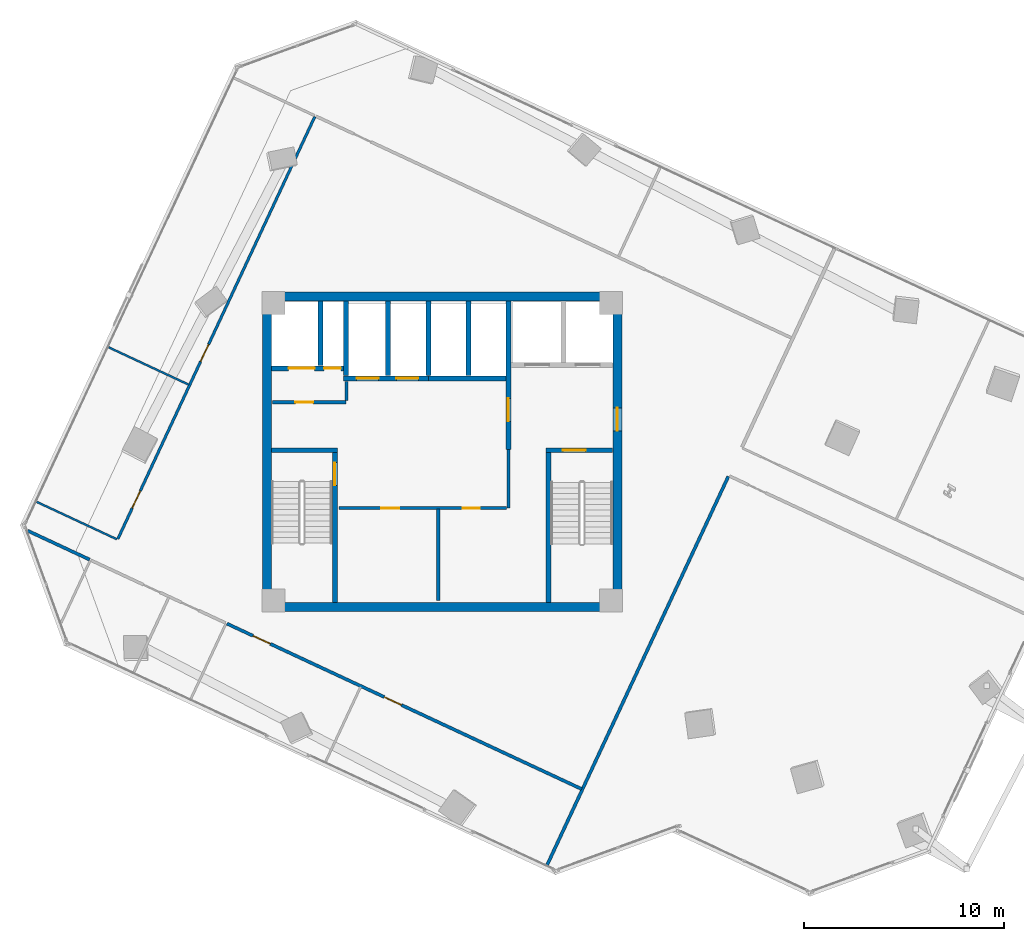
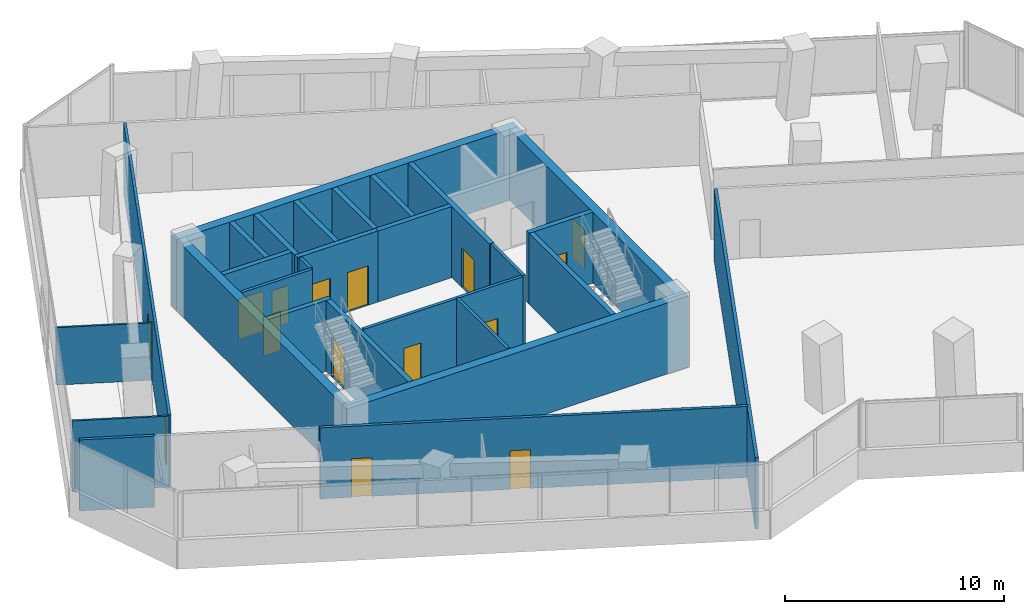
# One storey, part 16 of 21: 28 walls, 15 doors, 15 openings.
"""IFC4 building model written with IfcOpenShell, lengths in metres."""

from ifc_helpers import new_model, si_unit, direction, frame, frame_2d, origin, place, context, subcontext, project, spatial, rectangle, extrude, source, transform, mapped, material, layer, layer_set, type_object, element, fill, save


model = new_model("IFC4")

# Units and contexts
model_context = context("Model", 3, precision=1e-05, world=origin(), true_north=direction((0.0, 1.0)))
body_context = subcontext(model_context, "Body", "Model", "MODEL_VIEW")
ifc_project = project(units=[si_unit("LENGTHUNIT", "METRE"), si_unit("AREAUNIT", "SQUARE_METRE"), si_unit("VOLUMEUNIT", "CUBIC_METRE"), si_unit("PLANEANGLEUNIT", "RADIAN"), si_unit("MASSUNIT", "GRAM", prefix="KILO")], contexts=[model_context])

# Site, building, storey
site_placement = place(None, origin())
site = spatial("IfcSite", under=ifc_project, at=site_placement, CompositionType="ELEMENT")
building_placement = place(site_placement, origin())
building = spatial("IfcBuilding", under=site, at=building_placement, Name="Torre Montelarca", CompositionType="ELEMENT")
storey_placement = place(building_placement, frame((0.0, 0.0, 162.39990234375)))
storey = spatial("IfcBuildingStorey", under=building, at=storey_placement, Name="L36", CompositionType="ELEMENT", Elevation=162.39990234375)

# Wall, opening, door
ifc_material_1 = material(Name="Concrete C40/50", Category="concrete")
ifc_layer_1 = layer(ifc_material_1, 0.25, Name="Concrete C40/50", Category="concrete")
ifc_layer_set_1 = layer_set([ifc_layer_1], Name="Concrete C40/50")
wall_type_1 = type_object("IfcWallType", Name="CW-SHAFT-250", PredefinedType="SHEAR", material=ifc_layer_set_1)
wall_1_placement = place(storey_placement, frame((12.625, 24.4599609375, 0.0), z_axis=(0.0, 0.0, 1.0), x_axis=(0.0, 1.0, 0.0)))
wall_1 = element("IfcWall", 1, at=wall_1_placement, inside=storey, type_object=wall_type_1, Name="L36 Core Shear Wall SH-ST1-E", PredefinedType="SHEAR", context=body_context, shape_type="SweptSolid", body=[
    extrude(rectangle(XDim=7.489990234375, YDim=0.25, at=frame_2d((3.7451171875, 0.0))), origin(), (0.0, 0.0, 1.0), 3.960205078125),
])
opening_1_placement = place(wall_1_placement, frame((5.85009765625, 0.0, 0.0)))
opening_1 = element("IfcOpeningElement", 2, at=opening_1_placement, cuts=wall_1, Name="Opening FD-ST1", PredefinedType="OPENING", context=body_context, shape_type="SweptSolid", body=[
    extrude(rectangle(XDim=1.14990234375, YDim=2.199951171875, at=frame_2d((0.574951171875, 1.10009765625))), frame((0.0, 0.135009765625, 0.0), z_axis=(0.0, -1.0, 0.0), x_axis=(1.0, 0.0, 0.0)), (0.0, 0.0, 1.0), 0.27001953125),
])
ifc_material_2 = material(Name="Galvanized steel fire door", Category="steel")
door_type_1 = type_object("IfcDoorType", Name="DR-STAIR-115", OperationType="NOTDEFINED", PredefinedType="DOOR", material=ifc_material_2)
shared_shape_1 = source(origin(), body_context, "Body", "SweptSolid", [
    extrude(rectangle(XDim=1.14990234375, YDim=2.199951171875, at=frame_2d((0.574951171875, 1.10009765625))), frame((0.0, 0.02490234375, 0.0), z_axis=(0.0, -1.0, 0.0), x_axis=(1.0, 0.0, 0.0)), (0.0, 0.0, 1.0), 0.050048828125),
])
door_1_placement = place(opening_1_placement, origin())
door_1 = element("IfcDoor", 3, at=door_1_placement, inside=storey, type_object=door_type_1, Name="L36 Exit Stair ST1 Fire Door", OperationType="SINGLE_SWING_RIGHT", OverallHeight=2.199951171875, OverallWidth=1.14990234375, PredefinedType="DOOR", context=body_context, shape_type="MappedRepresentation", body=[
    mapped(shared_shape_1, transform((0.0, 0.0, 0.0), scale=1.0)),
])
fill(opening_1, door_1)

# Walls
wall_2_placement = place(storey_placement, frame((9.4599609375, 32.074951171875, 0.0), z_axis=(0.0, 0.0, 1.0), x_axis=(1.0, 0.0, 0.0)))
element("IfcWall", 4, at=wall_2_placement, inside=storey, type_object=wall_type_1, Name="L36 Core Shear Wall SH-ST1-N", PredefinedType="SHEAR", context=body_context, shape_type="SweptSolid", body=[
    extrude(rectangle(XDim=3.2900390625, YDim=0.25, at=frame_2d((1.64501953125, 0.0))), origin(), (0.0, 0.0, 1.0), 3.960205078125),
])
wall_3_placement = place(storey_placement, frame((23.31494140625, 24.4599609375, 0.0), z_axis=(0.0, 0.0, 1.0), x_axis=(0.0, 1.0, 0.0)))
element("IfcWall", 5, at=wall_3_placement, inside=storey, type_object=wall_type_1, Name="L36 Core Shear Wall SH-ST2-W", PredefinedType="SHEAR", context=body_context, shape_type="SweptSolid", body=[
    extrude(rectangle(XDim=7.489990234375, YDim=0.25, at=frame_2d((3.7451171875, 0.0))), origin(), (0.0, 0.0, 1.0), 3.960205078125),
])

# Wall, opening, door
wall_4_placement = place(storey_placement, frame((23.18994140625, 32.074951171875, 0.0), z_axis=(0.0, 0.0, 1.0), x_axis=(1.0, 0.0, 0.0)))
wall_4 = element("IfcWall", 6, at=wall_4_placement, inside=storey, type_object=wall_type_1, Name="L36 Core Shear Wall SH-ST2-N", PredefinedType="SHEAR", context=body_context, shape_type="SweptSolid", body=[
    extrude(rectangle(XDim=3.35009765625, YDim=0.25, at=frame_2d((1.675048828125, 0.0))), origin(), (0.0, 0.0, 1.0), 3.960205078125),
])
opening_2_placement = place(wall_4_placement, frame((0.85009765625, 0.0, 0.0)))
opening_2 = element("IfcOpeningElement", 7, at=opening_2_placement, cuts=wall_4, Name="Opening FD-ST1", PredefinedType="OPENING", context=body_context, shape_type="SweptSolid", body=[
    extrude(rectangle(XDim=1.14990234375, YDim=2.199951171875, at=frame_2d((0.574951171875, 1.10009765625))), frame((0.0, 0.135009765625, 0.0), z_axis=(0.0, -1.0, 0.0), x_axis=(1.0, 0.0, 0.0)), (0.0, 0.0, 1.0), 0.27001953125),
])
door_2_placement = place(opening_2_placement, origin())
door_2 = element("IfcDoor", 8, at=door_2_placement, inside=storey, type_object=door_type_1, Name="L36 Exit Stair ST2 Fire Door", OperationType="SINGLE_SWING_RIGHT", OverallHeight=2.199951171875, OverallWidth=1.14990234375, PredefinedType="DOOR", context=body_context, shape_type="MappedRepresentation", body=[
    mapped(shared_shape_1, transform((0.0, 0.0, 0.0), scale=1.0)),
])
fill(opening_2, door_2)

wall_5_placement = place(storey_placement, frame((21.320068359375, 32.1201171875, 0.0), z_axis=(0.0, 0.0, 1.0), x_axis=(0.0, 1.0, 0.0)))
wall_5 = element("IfcWall", 9, at=wall_5_placement, inside=storey, type_object=wall_type_1, Name="L36 Core Shear Wall SH-FFL-W", PredefinedType="SHEAR", context=body_context, shape_type="SweptSolid", body=[
    extrude(rectangle(XDim=7.419921875, YDim=0.25, at=frame_2d((3.7099609375, 0.0))), origin(), (0.0, 0.0, 1.0), 3.960205078125),
])
opening_3_placement = place(wall_5_placement, frame((1.39990234375, 0.0, 0.0)))
opening_3 = element("IfcOpeningElement", 10, at=opening_3_placement, cuts=wall_5, Name="Opening FD-LB1", PredefinedType="OPENING", context=body_context, shape_type="SweptSolid", body=[
    extrude(rectangle(XDim=1.14990234375, YDim=2.199951171875, at=frame_2d((0.574951171875, 1.10009765625))), frame((0.0, 0.135009765625, 0.0), z_axis=(0.0, -1.0, 0.0), x_axis=(1.0, 0.0, 0.0)), (0.0, 0.0, 1.0), 0.27001953125),
])
ifc_material_3 = material(Name="Acoustic timber-veneered fire door", Category="wood")
door_type_2 = type_object("IfcDoorType", Name="DR-LOBBY-115", OperationType="NOTDEFINED", PredefinedType="DOOR", material=ifc_material_3)
shared_shape_2 = source(origin(), body_context, "Body", "SweptSolid", [
    extrude(rectangle(XDim=1.14990234375, YDim=2.199951171875, at=frame_2d((0.574951171875, 1.10009765625))), frame((0.0, 0.02490234375, 0.0), z_axis=(0.0, -1.0, 0.0), x_axis=(1.0, 0.0, 0.0)), (0.0, 0.0, 1.0), 0.050048828125),
])
door_3_placement = place(opening_3_placement, origin())
door_3 = element("IfcDoor", 11, at=door_3_placement, inside=storey, type_object=door_type_2, Name="L36 Lift Lobby to Firefighting Lobby Smoke Door", OperationType="SINGLE_SWING_LEFT", OverallHeight=2.199951171875, OverallWidth=1.14990234375, PredefinedType="DOOR", context=body_context, shape_type="MappedRepresentation", body=[
    mapped(shared_shape_2, transform((0.0, 0.0, 0.0), scale=1.0)),
])
fill(opening_3, door_3)

# Wall, openings, doors
wall_6_placement = place(storey_placement, frame((9.4599609375, 36.179931640625, 0.0), z_axis=(0.0, 0.0, 1.0), x_axis=(1.0, 0.0, 0.0)))
wall_6 = element("IfcWall", 12, at=wall_6_placement, inside=storey, type_object=wall_type_1, Name="L36 Core Shear Wall SH-SV1-S", PredefinedType="SHEAR", context=body_context, shape_type="SweptSolid", body=[
    extrude(rectangle(XDim=3.7900390625, YDim=0.25, at=frame_2d((1.89501953125, 0.0))), origin(), (0.0, 0.0, 1.0), 3.960205078125),
])
opening_4_placement = place(wall_6_placement, frame((2.6201171875, 0.0, 0.0)))
opening_4 = element("IfcOpeningElement", 13, at=opening_4_placement, cuts=wall_6, Name="Opening FD-085", PredefinedType="OPENING", context=body_context, shape_type="SweptSolid", body=[
    extrude(rectangle(XDim=0.85009765625, YDim=2.10009765625, at=frame_2d((0.425048828125, 1.050048828125))), frame((0.0, 0.135009765625, 0.0), z_axis=(0.0, -1.0, 0.0), x_axis=(1.0, 0.0, 0.0)), (0.0, 0.0, 1.0), 0.27001953125),
])
opening_5_placement = place(wall_6_placement, frame((0.85009765625, 0.0, 0.0)))
opening_5 = element("IfcOpeningElement", 14, at=opening_5_placement, cuts=wall_6, Name="Opening LD-130", PredefinedType="OPENING", context=body_context, shape_type="SweptSolid", body=[
    extrude(rectangle(XDim=1.300048828125, YDim=2.25, at=frame_2d((0.64990234375, 1.125))), frame((0.0, 0.135009765625, 0.0), z_axis=(0.0, -1.0, 0.0), x_axis=(1.0, 0.0, 0.0)), (0.0, 0.0, 1.0), 0.27001953125),
])
ifc_material_4 = material(Name="Steel riser access fire door", Category="steel")
door_type_3 = type_object("IfcDoorType", Name="DR-RISER-085", OperationType="NOTDEFINED", PredefinedType="DOOR", material=ifc_material_4)
shared_shape_3 = source(origin(), body_context, "Body", "SweptSolid", [
    extrude(rectangle(XDim=0.85009765625, YDim=2.10009765625, at=frame_2d((0.425048828125, 1.050048828125))), frame((0.0, 0.02490234375, 0.0), z_axis=(0.0, -1.0, 0.0), x_axis=(1.0, 0.0, 0.0)), (0.0, 0.0, 1.0), 0.050048828125),
])
door_4_placement = place(opening_4_placement, origin())
door_4 = element("IfcDoor", 15, at=door_4_placement, inside=storey, type_object=door_type_3, Name="L36 Electrical Riser Shaft Access Door", OperationType="SINGLE_SWING_RIGHT", OverallHeight=2.10009765625, OverallWidth=0.85009765625, PredefinedType="DOOR", context=body_context, shape_type="MappedRepresentation", body=[
    mapped(shared_shape_3, transform((0.0, 0.0, 0.0), scale=1.0)),
])
fill(opening_4, door_4)
ifc_material_5 = material(Name="Brushed stainless steel AISI 316", Category="steel")
door_type_4 = type_object("IfcDoorType", Name="DR-LIFT-130", OperationType="SLIDING_TO_LEFT", PredefinedType="DOOR", material=ifc_material_5)
shared_shape_4 = source(origin(), body_context, "Body", "SweptSolid", [
    extrude(rectangle(XDim=1.300048828125, YDim=2.25, at=frame_2d((0.64990234375, 1.125))), frame((0.0, 0.02490234375, 0.0), z_axis=(0.0, -1.0, 0.0), x_axis=(1.0, 0.0, 0.0)), (0.0, 0.0, 1.0), 0.050048828125),
])
door_5_placement = place(opening_5_placement, origin())
door_5 = element("IfcDoor", 16, at=door_5_placement, inside=storey, type_object=door_type_4, Name="L36 Lift Landing Sliding Door SV-1", OperationType="SLIDING_TO_LEFT", OverallHeight=2.25, OverallWidth=1.300048828125, PredefinedType="DOOR", context=body_context, shape_type="MappedRepresentation", body=[
    mapped(shared_shape_4, transform((0.0, 0.0, 0.0), scale=1.0)),
])
fill(opening_5, door_5)

# Wall
wall_7_placement = place(storey_placement, frame((11.89990234375, 36.31005859375, 0.0), z_axis=(0.0, 0.0, 1.0), x_axis=(0.0, 1.0, 0.0)))
element("IfcWall", 17, at=wall_7_placement, inside=storey, type_object=wall_type_1, Name="L36 Core Shear Wall SH-SV1-E", PredefinedType="SHEAR", context=body_context, shape_type="SweptSolid", body=[
    extrude(rectangle(XDim=3.22998046875, YDim=0.25, at=frame_2d((1.614990234375, 0.0))), origin(), (0.0, 0.0, 1.0), 3.960205078125),
])

# Wall, openings, doors
wall_8_placement = place(storey_placement, frame((13.06005859375, 35.679931640625, 0.0), z_axis=(0.0, 0.0, 1.0), x_axis=(1.0, 0.0, 0.0)))
wall_8 = element("IfcWall", 18, at=wall_8_placement, inside=storey, type_object=wall_type_1, Name="L36 Core Shear Wall SH-PLM-S", PredefinedType="SHEAR", context=body_context, shape_type="SweptSolid", body=[
    extrude(rectangle(XDim=4.25, YDim=0.25, at=frame_2d((2.125, 0.0))), origin(), (0.0, 0.0, 1.0), 3.960205078125),
])
opening_6_placement = place(wall_8_placement, frame((0.64990234375, 0.0, 0.0)))
opening_6 = element("IfcOpeningElement", 19, at=opening_6_placement, cuts=wall_8, Name="Opening LD-110", PredefinedType="OPENING", context=body_context, shape_type="SweptSolid", body=[
    extrude(rectangle(XDim=1.10009765625, YDim=2.199951171875, at=frame_2d((0.550048828125, 1.10009765625))), frame((0.0, 0.135009765625, 0.0), z_axis=(0.0, -1.0, 0.0), x_axis=(1.0, 0.0, 0.0)), (0.0, 0.0, 1.0), 0.27001953125),
])
opening_7_placement = place(wall_8_placement, frame((2.64990234375, 0.0, 0.0)))
opening_7 = element("IfcOpeningElement", 20, at=opening_7_placement, cuts=wall_8, Name="Opening LD-110", PredefinedType="OPENING", context=body_context, shape_type="SweptSolid", body=[
    extrude(rectangle(XDim=1.10009765625, YDim=2.199951171875, at=frame_2d((0.550048828125, 1.10009765625))), frame((0.0, 0.135009765625, 0.0), z_axis=(0.0, -1.0, 0.0), x_axis=(1.0, 0.0, 0.0)), (0.0, 0.0, 1.0), 0.27001953125),
])
door_type_5 = type_object("IfcDoorType", Name="DR-LIFT-110", OperationType="SLIDING_TO_LEFT", PredefinedType="DOOR", material=ifc_material_5)
shared_shape_5 = source(origin(), body_context, "Body", "SweptSolid", [
    extrude(rectangle(XDim=1.10009765625, YDim=2.199951171875, at=frame_2d((0.550048828125, 1.10009765625))), frame((0.0, 0.02490234375, 0.0), z_axis=(0.0, -1.0, 0.0), x_axis=(1.0, 0.0, 0.0)), (0.0, 0.0, 1.0), 0.050048828125),
])
door_6_placement = place(opening_6_placement, origin())
door_6 = element("IfcDoor", 21, at=door_6_placement, inside=storey, type_object=door_type_5, Name="L36 Lift Landing Sliding Door PL-M1", OperationType="SLIDING_TO_LEFT", OverallHeight=2.199951171875, OverallWidth=1.10009765625, PredefinedType="DOOR", context=body_context, shape_type="MappedRepresentation", body=[
    mapped(shared_shape_5, transform((0.0, 0.0, 0.0), scale=1.0)),
])
fill(opening_6, door_6)
door_7_placement = place(opening_7_placement, origin())
door_7 = element("IfcDoor", 22, at=door_7_placement, inside=storey, type_object=door_type_5, Name="L36 Lift Landing Sliding Door PL-M2", OperationType="SLIDING_TO_RIGHT", OverallHeight=2.199951171875, OverallWidth=1.10009765625, PredefinedType="DOOR", context=body_context, shape_type="MappedRepresentation", body=[
    mapped(shared_shape_5, transform((0.0, 0.0, 0.0), scale=1.0)),
])
fill(opening_7, door_7)

# Walls
for number, where, z_axis, x_axis, name in (
    (23, (13.179931640625, 35.81005859375, 0.0), (0.0, 0.0, 1.0), (0.0, 1.0, 0.0), "L36 Core Shear Wall SH-PLM-W"),
    (24, (15.280029296875, 35.81005859375, 0.0), (0.0, 0.0, 1.0), (0.0, 1.0, 0.0), "L36 Core Shear Wall SH-PLM-M"),
):
    element("IfcWall", number, at=place(storey_placement, frame(where, z_axis=z_axis, x_axis=x_axis)), inside=storey, type_object=wall_type_1, Name=name, PredefinedType="SHEAR", context=body_context, shape_type="SweptSolid", body=[
        extrude(rectangle(XDim=3.72998046875, YDim=0.25, at=frame_2d((1.864990234375, 0.0))), origin(), (0.0, 0.0, 1.0), 3.960205078125),
    ])
wall_9_placement = place(storey_placement, frame((17.320068359375, 35.679931640625, 0.0), z_axis=(0.0, 0.0, 1.0), x_axis=(1.0, 0.0, 0.0)))
element("IfcWall", 25, at=wall_9_placement, inside=storey, type_object=wall_type_1, Name="L36 Core Shear Wall SH-PLH-S", PredefinedType="SHEAR", context=body_context, shape_type="SweptSolid", body=[
    extrude(rectangle(XDim=3.869873046875, YDim=0.25, at=frame_2d((1.93505859375, 0.0))), origin(), (0.0, 0.0, 1.0), 3.960205078125),
])
for number, where, z_axis, x_axis, name in (
    (26, (17.320068359375, 35.81005859375, 0.0), (0.0, 0.0, 1.0), (0.0, 1.0, 0.0), "L36 Core Shear Wall SH-PLH-W"),
    (27, (19.320068359375, 35.81005859375, 0.0), (0.0, 0.0, 1.0), (0.0, 1.0, 0.0), "L36 Core Shear Wall SH-PLH-M"),
):
    element("IfcWall", number, at=place(storey_placement, frame(where, z_axis=z_axis, x_axis=x_axis)), inside=storey, type_object=wall_type_1, Name=name, PredefinedType="SHEAR", context=body_context, shape_type="SweptSolid", body=[
        extrude(rectangle(XDim=3.72998046875, YDim=0.25, at=frame_2d((1.864990234375, 0.0))), origin(), (0.0, 0.0, 1.0), 3.960205078125),
    ])
ifc_material_6 = material(Name="Concrete C55/67", Category="concrete")
ifc_layer_2 = layer(ifc_material_6, 0.449951171875, Name="Concrete C55/67", Category="concrete")
ifc_layer_set_2 = layer_set([ifc_layer_2], Name="Concrete C55/67")
wall_type_2 = type_object("IfcWallType", Name="CW-SHEAR-450", PredefinedType="SHEAR", material=ifc_layer_set_2)
wall_10_placement = place(storey_placement, frame((9.22509765625, 24.449951171875, 0.0), z_axis=(0.0, 0.0, 1.0), x_axis=(0.0, 1.0, 0.0)))
element("IfcWall", 28, at=wall_10_placement, inside=storey, type_object=wall_type_2, Name="L36 Core Shear Wall CW-W", PredefinedType="SHEAR", context=body_context, shape_type="SweptSolid", body=[
    extrude(rectangle(XDim=15.10009765625, YDim=0.449951171875, at=frame_2d((7.550048828125, 0.0))), origin(), (0.0, 0.0, 1.0), 3.960205078125),
])

# Wall, opening, door
wall_11_placement = place(storey_placement, frame((26.77490234375, 24.449951171875, 0.0), z_axis=(0.0, 0.0, 1.0), x_axis=(0.0, 1.0, 0.0)))
wall_11 = element("IfcWall", 29, at=wall_11_placement, inside=storey, type_object=wall_type_2, Name="L36 Core Shear Wall CW-E", PredefinedType="SHEAR", context=body_context, shape_type="SweptSolid", body=[
    extrude(rectangle(XDim=15.10009765625, YDim=0.449951171875, at=frame_2d((7.550048828125, 0.0))), origin(), (0.0, 0.0, 1.0), 3.960205078125),
])
opening_8_placement = place(wall_11_placement, frame((8.60009765625, 0.0, 0.0)))
opening_8 = element("IfcOpeningElement", 30, at=opening_8_placement, cuts=wall_11, Name="Opening FD-LB1", PredefinedType="OPENING", context=body_context, shape_type="SweptSolid", body=[
    extrude(rectangle(XDim=1.14990234375, YDim=2.199951171875, at=frame_2d((0.574951171875, 1.10009765625))), frame((0.0, 0.23486328125, 0.0), z_axis=(0.0, -1.0, 0.0), x_axis=(1.0, 0.0, 0.0)), (0.0, 0.0, 1.0), 0.469970703125),
])
door_8_placement = place(opening_8_placement, origin())
door_8 = element("IfcDoor", 31, at=door_8_placement, inside=storey, type_object=door_type_2, Name="L36 Firefighting Lift Lobby Corridor Fire Door", OperationType="SINGLE_SWING_RIGHT", OverallHeight=2.199951171875, OverallWidth=1.14990234375, PredefinedType="DOOR", context=body_context, shape_type="MappedRepresentation", body=[
    mapped(shared_shape_2, transform((0.0, 0.0, 0.0), scale=1.0)),
])
fill(opening_8, door_8)

# Walls
for number, where, z_axis, x_axis, name in (
    (32, (9.0, 24.22509765625, 0.0), (0.0, 0.0, 1.0), (1.0, 0.0, 0.0), "L36 Core Shear Wall CW-S1"),
    (33, (9.0, 39.77490234375, 0.0), (0.0, 0.0, 1.0), (1.0, 0.0, 0.0), "L36 Core Shear Wall CW-N1"),
):
    element("IfcWall", number, at=place(storey_placement, frame(where, z_axis=z_axis, x_axis=x_axis)), inside=storey, type_object=wall_type_2, Name=name, PredefinedType="SHEAR", context=body_context, shape_type="SweptSolid", body=[
        extrude(rectangle(XDim=18.0, YDim=0.449951171875, at=frame_2d((9.0, 0.0))), origin(), (0.0, 0.0, 1.0), 3.960205078125),
    ])

# Wall, opening, door
ifc_material_7 = material(Name="Gypsum plasterboard on steel stud", Category="steel")
ifc_layer_3 = layer(ifc_material_7, 0.159912109375, Name="Gypsum plasterboard on steel stud", Category="steel")
ifc_layer_set_3 = layer_set([ifc_layer_3], Name="Gypsum plasterboard on steel stud")
wall_type_3 = type_object("IfcWallType", Name="PW-FIRE-160", PredefinedType="PARTITIONING", material=ifc_layer_set_3)
wall_12_placement = place(storey_placement, frame((9.489990234375, 34.47998046875, 0.0), z_axis=(0.0, 0.0, 1.0), x_axis=(1.0, 0.0, 0.0)))
wall_12 = element("IfcWall", 34, at=wall_12_placement, inside=storey, type_object=wall_type_3, Name="L36 Interior Partition CW-L36-SVS", PredefinedType="PARTITIONING", context=body_context, shape_type="SweptSolid", body=[
    extrude(rectangle(XDim=3.699951171875, YDim=0.159912109375, at=frame_2d((1.85009765625, 0.0))), origin(), (0.0, 0.0, 1.0), 3.960205078125),
])
opening_9_placement = place(wall_12_placement, frame((1.14990234375, 0.0, 0.0)))
opening_9 = element("IfcOpeningElement", 35, at=opening_9_placement, cuts=wall_12, Name="Opening FD-090", PredefinedType="OPENING", context=body_context, shape_type="SweptSolid", body=[
    extrude(rectangle(XDim=0.89990234375, YDim=2.14990234375, at=frame_2d((0.449951171875, 1.074951171875))), frame((0.0, 0.08984375, 0.0), z_axis=(0.0, -1.0, 0.0), x_axis=(1.0, 0.0, 0.0)), (0.0, 0.0, 1.0), 0.179931640625),
])
ifc_material_8 = material(Name="Steel service fire door", Category="steel")
door_type_6 = type_object("IfcDoorType", Name="DR-FIRE-090", OperationType="NOTDEFINED", PredefinedType="DOOR", material=ifc_material_8)
shared_shape_6 = source(origin(), body_context, "Body", "SweptSolid", [
    extrude(rectangle(XDim=0.89990234375, YDim=2.14990234375, at=frame_2d((0.449951171875, 1.074951171875))), frame((0.0, 0.02490234375, 0.0), z_axis=(0.0, -1.0, 0.0), x_axis=(1.0, 0.0, 0.0)), (0.0, 0.0, 1.0), 0.050048828125),
])
door_9_placement = place(opening_9_placement, origin())
door_9 = element("IfcDoor", 36, at=door_9_placement, inside=storey, type_object=door_type_6, Name="L36 Interior Door 01", OperationType="SINGLE_SWING_RIGHT", OverallHeight=2.14990234375, OverallWidth=0.89990234375, PredefinedType="DOOR", context=body_context, shape_type="MappedRepresentation", body=[
    mapped(shared_shape_6, transform((0.0, 0.0, 0.0), scale=1.0)),
])
fill(opening_9, door_9)

# Wall
wall_13_placement = place(storey_placement, frame((13.199951171875, 34.570068359375, 0.0), z_axis=(0.0, 0.0, 1.0), x_axis=(0.0, 1.0, 0.0)))
element("IfcWall", 37, at=wall_13_placement, inside=storey, type_object=wall_type_3, Name="L36 Interior Partition CW-L36-SVE", PredefinedType="PARTITIONING", context=body_context, shape_type="SweptSolid", body=[
    extrude(rectangle(XDim=0.93994140625, YDim=0.159912109375, at=frame_2d((0.469970703125, 0.0))), origin(), (0.0, 0.0, 1.0), 3.960205078125),
])

# Wall, openings, doors
wall_14_placement = place(storey_placement, frame((12.840087890625, 29.179931640625, 0.0), z_axis=(0.0, 0.0, 1.0), x_axis=(1.0, 0.0, 0.0)))
wall_14 = element("IfcWall", 38, at=wall_14_placement, inside=storey, type_object=wall_type_3, Name="L36 Interior Partition CW-L36-FRDN", PredefinedType="PARTITIONING", context=body_context, shape_type="SweptSolid", body=[
    extrude(rectangle(XDim=8.369873046875, YDim=0.159912109375, at=frame_2d((4.18505859375, 0.0))), origin(), (0.0, 0.0, 1.0), 3.960205078125),
])
opening_10_placement = place(wall_14_placement, frame((2.10009765625, 0.0, 0.0)))
opening_10 = element("IfcOpeningElement", 39, at=opening_10_placement, cuts=wall_14, Name="Opening FD-090", PredefinedType="OPENING", context=body_context, shape_type="SweptSolid", body=[
    extrude(rectangle(XDim=0.89990234375, YDim=2.14990234375, at=frame_2d((0.449951171875, 1.074951171875))), frame((0.0, 0.08984375, 0.0), z_axis=(0.0, -1.0, 0.0), x_axis=(1.0, 0.0, 0.0)), (0.0, 0.0, 1.0), 0.179931640625),
])
opening_11_placement = place(wall_14_placement, frame((6.199951171875, 0.0, 0.0)))
opening_11 = element("IfcOpeningElement", 40, at=opening_11_placement, cuts=wall_14, Name="Opening FD-085", PredefinedType="OPENING", context=body_context, shape_type="SweptSolid", body=[
    extrude(rectangle(XDim=0.85009765625, YDim=2.10009765625, at=frame_2d((0.425048828125, 1.050048828125))), frame((0.0, 0.08984375, 0.0), z_axis=(0.0, -1.0, 0.0), x_axis=(1.0, 0.0, 0.0)), (0.0, 0.0, 1.0), 0.179931640625),
])
door_10_placement = place(opening_11_placement, origin())
door_10 = element("IfcDoor", 41, at=door_10_placement, inside=storey, type_object=door_type_3, Name="L36 Interior Door 03", OperationType="SINGLE_SWING_LEFT", OverallHeight=2.10009765625, OverallWidth=0.85009765625, PredefinedType="DOOR", context=body_context, shape_type="MappedRepresentation", body=[
    mapped(shared_shape_3, transform((0.0, 0.0, 0.0), scale=1.0)),
])
fill(opening_11, door_10)
door_11_placement = place(opening_10_placement, origin())
door_11 = element("IfcDoor", 42, at=door_11_placement, inside=storey, type_object=door_type_6, Name="L36 Interior Door 02", OperationType="SINGLE_SWING_RIGHT", OverallHeight=2.14990234375, OverallWidth=0.89990234375, PredefinedType="DOOR", context=body_context, shape_type="MappedRepresentation", body=[
    mapped(shared_shape_6, transform((0.0, 0.0, 0.0), scale=1.0)),
])
fill(opening_10, door_11)

# Walls
wall_15_placement = place(storey_placement, frame((17.800048828125, 24.5400390625, 0.0), z_axis=(0.0, 0.0, 1.0), x_axis=(0.0, 1.0, 0.0)))
element("IfcWall", 43, at=wall_15_placement, inside=storey, type_object=wall_type_3, Name="L36 Interior Partition CW-L36-FRD1", PredefinedType="PARTITIONING", context=body_context, shape_type="SweptSolid", body=[
    extrude(rectangle(XDim=4.599853515625, YDim=0.159912109375, at=frame_2d((2.2998046875, 0.0))), origin(), (0.0, 0.0, 1.0), 3.960205078125),
])
wall_16_placement = place(storey_placement, frame((21.320068359375, 29.18994140625, 0.0), z_axis=(0.0, 0.0, 1.0), x_axis=(0.0, 1.0, 0.0)))
element("IfcWall", 44, at=wall_16_placement, inside=storey, type_object=wall_type_3, Name="L36 Interior Partition CW-L36-FRE", PredefinedType="PARTITIONING", context=body_context, shape_type="SweptSolid", body=[
    extrude(rectangle(XDim=2.920166015625, YDim=0.159912109375, at=frame_2d((1.4599609375, 0.0))), origin(), (0.0, 0.0, 1.0), 3.960205078125),
])
wall_17_placement = place(storey_placement, frame((-2.76708984375, 28.045166015625, 0.0), z_axis=(0.0, 0.0, 1.0), x_axis=(0.906313941013, -0.422605064246, 0.0)))
element("IfcWall", 45, at=wall_17_placement, inside=storey, type_object=wall_type_3, Name="L36 Interior Partition W-L36-SOCCW", PredefinedType="PARTITIONING", context=body_context, shape_type="SweptSolid", body=[
    extrude(rectangle(XDim=3.43212890625, YDim=0.159912109375, at=frame_2d((1.716064453125, 0.0))), origin(), (0.0, 0.0, 1.0), 3.960205078125),
])

# Wall, openings, doors
wall_18_placement = place(storey_placement, frame((7.21337890625, 23.391357421875, 0.0), z_axis=(0.0, 0.0, 1.0), x_axis=(0.906304602938, -0.422625089996, 0.0)))
wall_18 = element("IfcWall", 46, at=wall_18_placement, inside=storey, type_object=wall_type_3, Name="L36 Interior Partition W-L36-SOCCN", PredefinedType="PARTITIONING", context=body_context, shape_type="SweptSolid", body=[
    extrude(rectangle(XDim=19.60986328125, YDim=0.159912109375, at=frame_2d((9.804931640625, 0.0))), origin(), (0.0, 0.0, 1.0), 3.960205078125),
])
opening_12_placement = place(wall_18_placement, frame((1.449951171875, 0.0, 0.0)))
opening_12 = element("IfcOpeningElement", 47, at=opening_12_placement, cuts=wall_18, Name="Opening FD-095", PredefinedType="OPENING", context=body_context, shape_type="SweptSolid", body=[
    extrude(rectangle(XDim=0.949951171875, YDim=2.14990234375, at=frame_2d((0.47509765625, 1.074951171875))), frame((0.0, 0.08984375, 0.0), z_axis=(0.0, -1.0, 0.0), x_axis=(1.0, 0.0, 0.0)), (0.0, 0.0, 1.0), 0.179931640625),
])
opening_13_placement = place(wall_18_placement, frame((8.699951171875, 0.0, 0.0)))
opening_13 = element("IfcOpeningElement", 48, at=opening_13_placement, cuts=wall_18, Name="Opening FD-095", PredefinedType="OPENING", context=body_context, shape_type="SweptSolid", body=[
    extrude(rectangle(XDim=0.949951171875, YDim=2.14990234375, at=frame_2d((0.47509765625, 1.074951171875))), frame((0.0, 0.08984375, 0.0), z_axis=(0.0, -1.0, 0.0), x_axis=(1.0, 0.0, 0.0)), (0.0, 0.0, 1.0), 0.179931640625),
])
ifc_material_9 = material(Name="Timber fire-rated room door", Category="wood")
door_type_7 = type_object("IfcDoorType", Name="DR-FIRE-095", OperationType="NOTDEFINED", PredefinedType="DOOR", material=ifc_material_9)
shared_shape_7 = source(origin(), body_context, "Body", "SweptSolid", [
    extrude(rectangle(XDim=0.949951171875, YDim=2.14990234375, at=frame_2d((0.47509765625, 1.074951171875))), frame((0.0, 0.02490234375, 0.0), z_axis=(0.0, -1.0, 0.0), x_axis=(1.0, 0.0, 0.0)), (0.0, 0.0, 1.0), 0.050048828125),
])
door_12_placement = place(opening_12_placement, origin())
door_12 = element("IfcDoor", 49, at=door_12_placement, inside=storey, type_object=door_type_7, Name="L36 Interior Door 06", OperationType="SINGLE_SWING_RIGHT", OverallHeight=2.14990234375, OverallWidth=0.949951171875, PredefinedType="DOOR", context=body_context, shape_type="MappedRepresentation", body=[
    mapped(shared_shape_7, transform((0.0, 0.0, 0.0), scale=1.0)),
])
fill(opening_12, door_12)
door_13_placement = place(opening_13_placement, origin())
door_13 = element("IfcDoor", 50, at=door_13_placement, inside=storey, type_object=door_type_7, Name="L36 Interior Door 07", OperationType="SINGLE_SWING_LEFT", OverallHeight=2.14990234375, OverallWidth=0.949951171875, PredefinedType="DOOR", context=body_context, shape_type="MappedRepresentation", body=[
    mapped(shared_shape_7, transform((0.0, 0.0, 0.0), scale=1.0)),
])
fill(opening_13, door_13)

# Walls
wall_19_placement = place(storey_placement, frame((23.255615234375, 11.298583984375, 0.0), z_axis=(0.0, 0.0, 1.0), x_axis=(0.422623489462, 0.906305349292, 0.0)))
element("IfcWall", 51, at=wall_19_placement, inside=storey, type_object=wall_type_3, Name="L36 Interior Partition W-L36-ECS", PredefinedType="PARTITIONING", context=body_context, shape_type="SweptSolid", body=[
    extrude(rectangle(XDim=21.479736328125, YDim=0.159912109375, at=frame_2d((10.73974609375, 0.0))), origin(), (0.0, 0.0, 1.0), 3.960205078125),
])
ifc_material_10 = material(Name="Acoustic laminated glass partition", Category="glass")
ifc_layer_4 = layer(ifc_material_10, 0.10009765625, Name="Acoustic laminated glass partition", Category="glass")
ifc_layer_set_4 = layer_set([ifc_layer_4], Name="Acoustic laminated glass partition")
wall_type_4 = type_object("IfcWallType", Name="PW-GLAZ-100", PredefinedType="PARTITIONING", material=ifc_layer_set_4)
wall_20_placement = place(storey_placement, frame((-2.3125, 29.48828125, 0.0), z_axis=(0.0, 0.0, 1.0), x_axis=(0.906316851894, -0.422598821546, 0.0)))
element("IfcWall", 52, at=wall_20_placement, inside=storey, type_object=wall_type_4, Name="L36 Interior Partition W-L36-WWGS", PredefinedType="PARTITIONING", context=body_context, shape_type="SweptSolid", body=[
    extrude(rectangle(XDim=4.429931640625, YDim=0.10009765625, at=frame_2d((2.21484375, 0.0))), origin(), (0.0, 0.0, 1.0), 3.960205078125),
])
wall_21_placement = place(storey_placement, frame((1.296630859375, 37.228271484375, 0.0), z_axis=(0.0, 0.0, 1.0), x_axis=(0.906295742894, -0.422644089526, 0.0)))
element("IfcWall", 53, at=wall_21_placement, inside=storey, type_object=wall_type_4, Name="L36 Interior Partition W-L36-WWGD-1", PredefinedType="PARTITIONING", context=body_context, shape_type="SweptSolid", body=[
    extrude(rectangle(XDim=4.429931640625, YDim=0.10009765625, at=frame_2d((2.21484375, 0.0))), origin(), (0.0, 0.0, 1.0), 3.195068359375),
])

# Wall, openings, doors
ifc_layer_5 = layer(ifc_material_7, 0.135009765625, Name="Gypsum plasterboard on steel stud", Category="steel")
ifc_layer_set_5 = layer_set([ifc_layer_5], Name="Gypsum plasterboard on steel stud")
wall_type_5 = type_object("IfcWallType", Name="PW-PART-135", PredefinedType="PARTITIONING", material=ifc_layer_set_5)
wall_22_placement = place(storey_placement, frame((1.755615234375, 27.635498046875, 0.0), z_axis=(0.0, 0.0, 1.0), x_axis=(0.422615732035, 0.906308966653, 0.0)))
wall_22 = element("IfcWall", 54, at=wall_22_placement, inside=storey, type_object=wall_type_5, Name="L36 Interior Partition W-L36-WWGE", PredefinedType="PARTITIONING", context=body_context, shape_type="SweptSolid", body=[
    extrude(rectangle(XDim=23.33984375, YDim=0.135009765625, at=frame_2d((11.669921875, 0.0))), origin(), (0.0, 0.0, 1.0), 3.960205078125),
])
opening_14_placement = place(wall_22_placement, frame((1.699951171875, 0.0, 0.0)))
opening_14 = element("IfcOpeningElement", 55, at=opening_14_placement, cuts=wall_22, Name="Opening ID-095", PredefinedType="OPENING", context=body_context, shape_type="SweptSolid", body=[
    extrude(rectangle(XDim=0.949951171875, YDim=2.14990234375, at=frame_2d((0.47509765625, 1.074951171875))), frame((0.0, 0.07763671875, 0.0), z_axis=(0.0, -1.0, 0.0), x_axis=(1.0, 0.0, 0.0)), (0.0, 0.0, 1.0), 0.155029296875),
])
opening_15_placement = place(wall_22_placement, frame((9.800048828125, 0.0, 0.0)))
opening_15 = element("IfcOpeningElement", 56, at=opening_15_placement, cuts=wall_22, Name="Opening ID-095", PredefinedType="OPENING", context=body_context, shape_type="SweptSolid", body=[
    extrude(rectangle(XDim=0.949951171875, YDim=2.14990234375, at=frame_2d((0.47509765625, 1.074951171875))), frame((0.0, 0.07763671875, 0.0), z_axis=(0.0, -1.0, 0.0), x_axis=(1.0, 0.0, 0.0)), (0.0, 0.0, 1.0), 0.155029296875),
])
ifc_material_11 = material(Name="Hardwood acoustic timber veneer", Category="wood")
door_type_8 = type_object("IfcDoorType", Name="DR-INT-095", OperationType="NOTDEFINED", PredefinedType="DOOR", material=ifc_material_11)
shared_shape_8 = source(origin(), body_context, "Body", "SweptSolid", [
    extrude(rectangle(XDim=0.949951171875, YDim=2.14990234375, at=frame_2d((0.47509765625, 1.074951171875))), frame((0.0, 0.02490234375, 0.0), z_axis=(0.0, -1.0, 0.0), x_axis=(1.0, 0.0, 0.0)), (0.0, 0.0, 1.0), 0.050048828125),
])
door_14_placement = place(opening_14_placement, origin())
door_14 = element("IfcDoor", 57, at=door_14_placement, inside=storey, type_object=door_type_8, Name="L36 Interior Door 10", OperationType="SINGLE_SWING_LEFT", OverallHeight=2.14990234375, OverallWidth=0.949951171875, PredefinedType="DOOR", context=body_context, shape_type="MappedRepresentation", body=[
    mapped(shared_shape_8, transform((0.0, 0.0, 0.0), scale=1.0)),
])
fill(opening_14, door_14)
door_15_placement = place(opening_15_placement, origin())
door_15 = element("IfcDoor", 58, at=door_15_placement, inside=storey, type_object=door_type_8, Name="L36 Interior Door 11", OperationType="SINGLE_SWING_RIGHT", OverallHeight=2.14990234375, OverallWidth=0.949951171875, PredefinedType="DOOR", context=body_context, shape_type="MappedRepresentation", body=[
    mapped(shared_shape_8, transform((0.0, 0.0, 0.0), scale=1.0)),
])
fill(opening_15, door_15)

save(model, "model.ifc")
